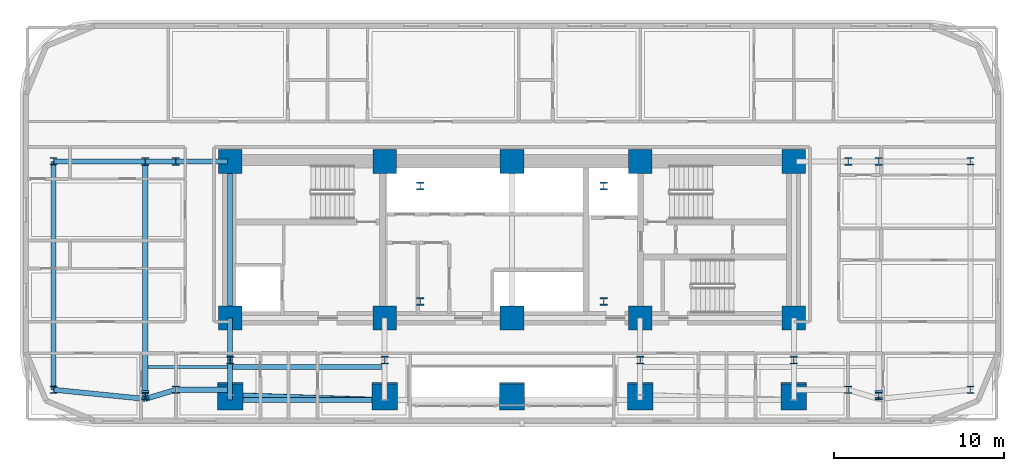
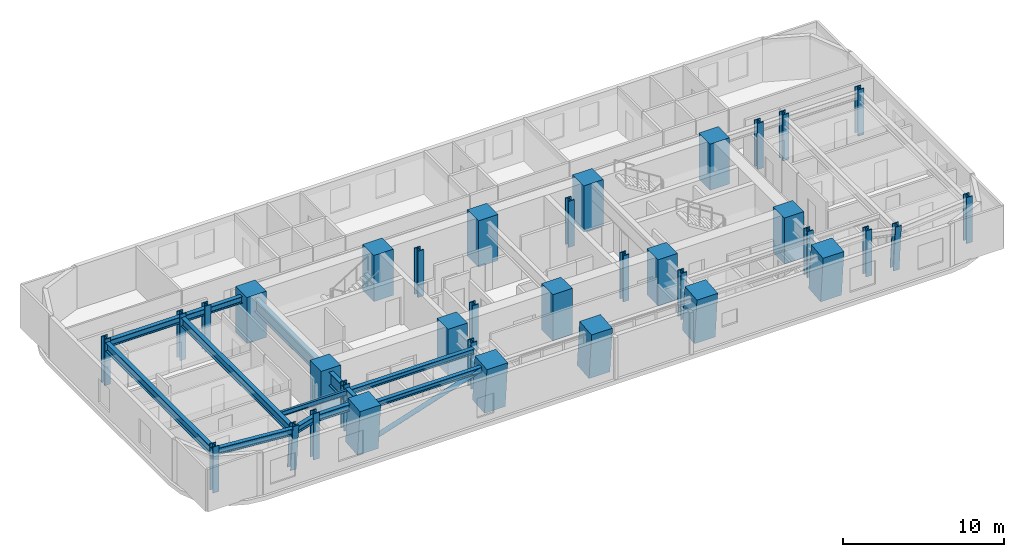
# One storey, part 1 of 16: 35 columns, 14 beams, 1 member.
"""IFC4 building model written with IfcOpenShell, lengths in metres."""

import ifcopenshell
import ifcopenshell.guid

model = None  # the IFC model being written
_history = None  # IfcOwnerHistory: only IFC2X3 demands one
_inside = {}  # id of a spatial element -> (the spatial element, [elements in it])
_under = {}  # id of a project, library or spatial element -> (it, [spatial elements below it])
_declared = {}  # id of a project -> (the project, [libraries it declares])
_typed = {}  # id of a type object -> (the type object, [elements of that type])
_made_of = {}  # id of a material, layer set ... -> (it, [elements and type objects made of it])


def new_model(schema):
    """Start an empty IFC model of exactly this schema.

    Asked for "IFC4X3", IfcOpenShell would pick the latest addendum, in which some entities
    have other attributes; the version numbers below select the first issue.
    IFC2X3 requires an IfcOwnerHistory on every rooted entity: one is made here for all.
    """
    global model, _history
    if schema == "IFC4X3":
        model = ifcopenshell.file(schema_version=(4, 3, 0, 0))
    else:
        model = ifcopenshell.file(schema=schema)
    _inside.clear()
    _under.clear()
    _declared.clear()
    _typed.clear()
    _made_of.clear()
    _history = None
    if model.schema == "IFC2X3":
        org = make("IfcOrganization", Name="unknown")
        user = make(
            "IfcPersonAndOrganization",
            ThePerson=make("IfcPerson", FamilyName="unknown"),
            TheOrganization=org,
        )
        app = make(
            "IfcApplication",
            ApplicationDeveloper=org,
            Version="unknown",
            ApplicationFullName="unknown",
            ApplicationIdentifier="unknown",
        )
        _history = make(
            "IfcOwnerHistory",
            OwningUser=user,
            OwningApplication=app,
            ChangeAction="ADDED",
            CreationDate=0,
        )
    return model


def make(cls, **values):
    """One entity of the class cls with the attributes given. An attribute that is None is left unset."""
    return model.create_entity(
        cls, **{name: value for name, value in values.items() if value is not None}
    )


def rooted(cls, **values):
    """An entity with a GlobalId (a new one), such as an element, a storey or a relation."""
    return make(cls, GlobalId=ifcopenshell.guid.new(), OwnerHistory=_history, **values)


def si_unit(unit_type, name, prefix=None):
    """IfcSIUnit, for example si_unit("LENGTHUNIT", "METRE", prefix="MILLI")."""
    return make("IfcSIUnit", UnitType=unit_type, Prefix=prefix, Name=name)


def assignment(units):
    """IfcUnitAssignment: the units of a project."""
    return None if units is None else make("IfcUnitAssignment", Units=units)


def point(xyz):
    """IfcCartesianPoint."""
    return None if xyz is None else make("IfcCartesianPoint", Coordinates=xyz)


def direction(xyz):
    """IfcDirection."""
    return None if xyz is None else make("IfcDirection", DirectionRatios=xyz)


def frame(location, z_axis=None, x_axis=None):
    """IfcAxis2Placement3D, a coordinate frame: its origin and axes. An axis left out is left unset."""
    return make(
        "IfcAxis2Placement3D",
        Location=point(location),
        Axis=direction(z_axis),
        RefDirection=direction(x_axis),
    )


def frame_2d(location, x_axis=None):
    """IfcAxis2Placement2D, a coordinate frame in the plane: its origin and x axis."""
    return make(
        "IfcAxis2Placement2D", Location=point(location), RefDirection=direction(x_axis)
    )


def origin():
    """The frame at (0, 0, 0) with its axes left unset."""
    return frame((0.0, 0.0, 0.0))


def origin_2d():
    """The frame at (0, 0) in the plane with its x axis left unset."""
    return frame_2d((0.0, 0.0))


def place(relative_to, where):
    """IfcLocalPlacement: puts the frame where relative to a parent placement (None: the world)."""
    return make(
        "IfcLocalPlacement", PlacementRelTo=relative_to, RelativePlacement=where
    )


def context(
    kind, dimensions, precision=None, world=None, true_north=None, identifier=None
):
    """IfcGeometricRepresentationContext, for example the 3D "Model" context."""
    return make(
        "IfcGeometricRepresentationContext",
        ContextIdentifier=identifier,
        ContextType=kind,
        CoordinateSpaceDimension=dimensions,
        Precision=precision,
        WorldCoordinateSystem=world,
        TrueNorth=true_north,
    )


def subcontext(parent, identifier, kind, view, scale=None):
    """IfcGeometricRepresentationSubContext, for example "Body" below "Model"."""
    return make(
        "IfcGeometricRepresentationSubContext",
        ContextIdentifier=identifier,
        ContextType=kind,
        ParentContext=parent,
        TargetScale=scale,
        TargetView=view,
    )


def project(units=None, contexts=None):
    """IfcProject with its units and contexts."""
    return rooted(
        "IfcProject",
        Name="project",
        RepresentationContexts=contexts,
        UnitsInContext=assignment(units),
    )


def spatial(cls, under=None, at=None, **own):
    """A site, building, storey or space (cls), placed at a placement, below another one or the project."""
    s = rooted(cls, ObjectPlacement=at, **own)
    if under is not None:
        _under.setdefault(under.id(), (under, []))[1].append(s)
    return s


def profile(cls, at=None, kind="AREA", **sizes):
    """A parametric profile (cls). Its sizes go by their IFC names, for example OverallWidth=200.0."""
    return make(cls, ProfileType=kind, Position=at, **sizes)


def rectangle(**sizes):
    """IfcRectangleProfileDef."""
    return profile("IfcRectangleProfileDef", **sizes)


def hollow_circle(**sizes):
    """IfcCircleHollowProfileDef."""
    return profile("IfcCircleHollowProfileDef", **sizes)


def i_section(**sizes):
    """IfcIShapeProfileDef."""
    return profile("IfcIShapeProfileDef", **sizes)


def extrude(swept, where, along, depth):
    """IfcExtrudedAreaSolid: the profile swept, set in the frame where, extruded along a direction by depth."""
    return make(
        "IfcExtrudedAreaSolid",
        SweptArea=swept,
        Position=where,
        ExtrudedDirection=direction(along),
        Depth=depth,
    )


def shape(context_of_items, identifier, shape_type, items):
    """IfcShapeRepresentation: the items that make up one representation, for example the "Body"."""
    return make(
        "IfcShapeRepresentation",
        ContextOfItems=context_of_items,
        RepresentationIdentifier=identifier,
        RepresentationType=shape_type,
        Items=items,
    )


def material(Name=None, Category=None):
    """IfcMaterial."""
    return make("IfcMaterial", Name=Name, Category=Category)


def material_profile(
    of_material, cross_section, Name=None, Category=None, Priority=None
):
    """IfcMaterialProfile: a cross section and its material."""
    return make(
        "IfcMaterialProfile",
        Name=Name,
        Material=of_material,
        Profile=cross_section,
        Priority=Priority,
        Category=Category,
    )


def profile_set(profiles, Name=None, composite=None):
    """IfcMaterialProfileSet."""
    return make(
        "IfcMaterialProfileSet",
        Name=Name,
        MaterialProfiles=profiles,
        CompositeProfile=composite,
    )


def made_of(thing, what):
    """Note that an element or type object is made of a material, layer set ...; save() writes the relation."""
    if what is not None:
        _made_of.setdefault(what.id(), (what, []))[1].append(thing)
    return thing


def type_object(cls, material=None, **own):
    """A type object (cls), such as IfcWallType, which elements share."""
    return made_of(rooted(cls, **own), material)


def element(
    cls,
    number,
    at=None,
    inside=None,
    cuts=None,
    type_object=None,
    material=None,
    context=None,
    identifier="Body",
    shape_type=None,
    held_by="IfcProductDefinitionShape",
    body=None,
    shapes=None,
    **own,
):
    """One element of the class cls, such as IfcWall. Its Tag is "e" and its number.

    at: its placement. inside: the storey or other place that contains it. cuts: it is an
    opening in that element (IfcRelVoidsElement). A single representation is given by context,
    identifier, shape_type and body (its items); several are given by shapes. held_by: the class
    of the entity that holds the representations. save() writes the other relations.
    """
    e = rooted(cls, Tag="e%d" % number, ObjectPlacement=at, **own)
    if body is not None:
        shapes = [shape(context, identifier, shape_type, body)]
    if shapes is not None:
        e.Representation = make(held_by, Representations=shapes)
    if inside is not None:
        _inside.setdefault(inside.id(), (inside, []))[1].append(e)
    if cuts is not None:
        rooted(
            "IfcRelVoidsElement", RelatingBuildingElement=cuts, RelatedOpeningElement=e
        )
    if type_object is not None:
        _typed.setdefault(type_object.id(), (type_object, []))[1].append(e)
    return made_of(e, material)


def aggregate(whole, parts):
    """IfcRelAggregates: a whole, such as a stair, and the parts it consists of."""
    return rooted("IfcRelAggregates", RelatingObject=whole, RelatedObjects=parts)


def save(model, path):
    """Write the relations noted so far, then the file.

    IfcRelAggregates (storeys below a building ...), IfcRelContainedInSpatialStructure (elements
    in a storey), IfcRelDefinesByType, IfcRelAssociatesMaterial and IfcRelDeclares: one each for
    every whole, place, type object, material and project.
    """
    for whole, parts in _under.values():
        aggregate(whole, parts)
    for where, things in _inside.values():
        rooted(
            "IfcRelContainedInSpatialStructure",
            RelatedElements=things,
            RelatingStructure=where,
        )
    for kind, things in _typed.values():
        rooted("IfcRelDefinesByType", RelatedObjects=things, RelatingType=kind)
    for what, things in _made_of.values():
        rooted("IfcRelAssociatesMaterial", RelatedObjects=things, RelatingMaterial=what)
    for by, libraries in _declared.values():
        rooted("IfcRelDeclares", RelatingContext=by, RelatedDefinitions=libraries)
    model.write(path)


model = new_model("IFC4")

# Units and contexts
model_context = context("Model", 3, precision=1e-05, world=origin(), true_north=direction((0.0, 1.0)))
body_context = subcontext(model_context, "Body", "Model", "MODEL_VIEW")
ifc_project = project(units=[si_unit("LENGTHUNIT", "METRE"), si_unit("AREAUNIT", "SQUARE_METRE"), si_unit("VOLUMEUNIT", "CUBIC_METRE"), si_unit("PLANEANGLEUNIT", "RADIAN"), si_unit("MASSUNIT", "GRAM", prefix="KILO")], contexts=[model_context])

# Site, building, storey
site_placement = place(None, origin())
site = spatial("IfcSite", under=ifc_project, at=site_placement, CompositionType="ELEMENT")
building_placement = place(site_placement, origin())
building = spatial("IfcBuilding", under=site, at=building_placement, Name="Zarnavel Station Tower", CompositionType="ELEMENT")
storey_placement = place(building_placement, frame((0.0, 0.0, 32.5)))
storey = spatial("IfcBuildingStorey", under=building, at=storey_placement, Name="L08", CompositionType="ELEMENT", Elevation=32.5)

# Columns
ifc_material_1 = material(Name="Steel S460M", Category="steel")
ifc_material_profile_1 = material_profile(ifc_material_1, i_section(OverallWidth=0.424072265625, OverallDepth=0.449951171875, WebThickness=0.041015625, FlangeThickness=0.06494140625, FilletRadius=0.014892578125, at=origin_2d()), Name="HD400x509")
ifc_profile_set_1 = profile_set([ifc_material_profile_1], Name="Steel S460M")
column_type_1 = type_object("IfcColumnType", Name="EC_HD509", PredefinedType="COLUMN", material=ifc_profile_set_1)
for number, where, z_axis, x_axis, name in (
    (1, (1.800048828125, 23.60009765625, 0.0), (0.0, 0.0, 1.0), (1.0, 0.0, 0.0), "L08 Outer Wing South Column 1"),
    (2, (1.800048828125, 37.050048828125, 0.0), (0.0, 0.0, 1.0), (1.0, 0.0, 0.0), "L08 Outer Wing North Column 1"),
):
    element("IfcColumn", number, at=place(storey_placement, frame(where, z_axis=z_axis, x_axis=x_axis)), inside=storey, type_object=column_type_1, Name=name, PredefinedType="COLUMN", context=body_context, shape_type="SweptSolid", body=[
        extrude(i_section(OverallWidth=0.424072265625, OverallDepth=0.449951171875, WebThickness=0.041015625, FlangeThickness=0.06494140625, FilletRadius=0.014892578125, at=origin_2d()), origin(), (0.0, 0.0, 1.0), 3.5),
    ])
for number, where, z_axis, x_axis, name in (
    (3, (7.199951171875, 23.319580078125, 0.0), (0.0, -0.079891690793, 0.996803550226), (1.0, 0.0, 0.0), "L08 Raked Wing Column 2"),
    (4, (50.39990234375, 23.319580078125, 0.0), (0.0, -0.079891690793, 0.996803550226), (1.0, 0.0, 0.0), "L08 Raked Wing Column 3"),
):
    element("IfcColumn", number, at=place(storey_placement, frame(where, z_axis=z_axis, x_axis=x_axis)), inside=storey, type_object=column_type_1, Name=name, PredefinedType="COLUMN", context=body_context, shape_type="SweptSolid", body=[
        extrude(i_section(OverallWidth=0.424072265625, OverallDepth=0.449951171875, WebThickness=0.041015625, FlangeThickness=0.06494140625, FilletRadius=0.014892578125, at=origin_2d()), origin(), (0.0, 0.0, 1.0), 3.51123046875),
    ])
for number, where, z_axis, x_axis, name in (
    (5, (55.800048828125, 23.60009765625, 0.0), (0.0, 0.0, 1.0), (1.0, 0.0, 0.0), "L08 Outer Wing South Column 4"),
    (6, (55.800048828125, 37.050048828125, 0.0), (0.0, 0.0, 1.0), (1.0, 0.0, 0.0), "L08 Outer Wing North Column 4"),
):
    element("IfcColumn", number, at=place(storey_placement, frame(where, z_axis=z_axis, x_axis=x_axis)), inside=storey, type_object=column_type_1, Name=name, PredefinedType="COLUMN", context=body_context, shape_type="SweptSolid", body=[
        extrude(i_section(OverallWidth=0.424072265625, OverallDepth=0.449951171875, WebThickness=0.041015625, FlangeThickness=0.06494140625, FilletRadius=0.014892578125, at=origin_2d()), origin(), (0.0, 0.0, 1.0), 3.5),
    ])
ifc_material_2 = material(Name="Steel S460M", Category="steel")
ifc_material_profile_2 = material_profile(ifc_material_2, i_section(OverallWidth=0.427978515625, OverallDepth=0.465087890625, WebThickness=0.044921875, FlangeThickness=0.072998046875, FilletRadius=0.014892578125, at=origin_2d()), Name="HD400x592")
ifc_profile_set_2 = profile_set([ifc_material_profile_2], Name="Steel S460M")
column_type_2 = type_object("IfcColumnType", Name="IC_HD592", PredefinedType="COLUMN", material=ifc_profile_set_2)
for number, where, z_axis, x_axis, name in (
    (7, (23.39990234375, 28.800048828125, 0.0), (0.0, 0.0, 1.0), (1.0, 0.0, 0.0), "L08 Mast Spine Column 1"),
    (8, (34.199951171875, 28.800048828125, 0.0), (0.0, 0.0, 1.0), (1.0, 0.0, 0.0), "L08 Mast Spine Column 2"),
    (9, (34.199951171875, 35.60009765625, 0.0), (0.0, 0.0, 1.0), (1.0, 0.0, 0.0), "L08 Mast Spine Column 3"),
    (10, (23.39990234375, 35.60009765625, 0.0), (0.0, 0.0, 1.0), (1.0, 0.0, 0.0), "L08 Mast Spine Column 4"),
    (11, (12.199951171875, 25.35009765625, 0.0), (0.0, 0.0, 1.0), (1.0, 0.0, 0.0), "L08 Inner Spine Column 1"),
    (12, (21.300048828125, 25.35009765625, 0.0), (0.0, 0.0, 1.0), (1.0, 0.0, 0.0), "L08 Inner Spine Column 2"),
    (13, (36.35009765625, 25.35009765625, 0.0), (0.0, 0.0, 1.0), (1.0, 0.0, 0.0), "L08 Inner Spine Column 4"),
    (14, (45.39990234375, 25.35009765625, 0.0), (0.0, 0.0, 1.0), (1.0, 0.0, 0.0), "L08 Inner Spine Column 5"),
    (15, (9.0, 23.60009765625, 0.0), (0.0, 0.0, 1.0), (1.0, 0.0, 0.0), "L08 Inner Wing Spine Column 1-1"),
    (16, (9.0, 37.050048828125, 0.0), (0.0, 0.0, 1.0), (1.0, 0.0, 0.0), "L08 Inner Wing Spine Column 1-2"),
    (17, (48.60009765625, 23.60009765625, 0.0), (0.0, 0.0, 1.0), (1.0, 0.0, 0.0), "L08 Inner Wing Spine Column 2-1"),
    (18, (48.60009765625, 37.050048828125, 0.0), (0.0, 0.0, 1.0), (1.0, 0.0, 0.0), "L08 Inner Wing Spine Column 2-2"),
    (19, (7.199951171875, 37.050048828125, 0.0), (0.0, 0.0, 1.0), (1.0, 0.0, 0.0), "L08 Outer Wing North Column 2"),
    (20, (50.39990234375, 37.050048828125, 0.0), (0.0, 0.0, 1.0), (1.0, 0.0, 0.0), "L08 Outer Wing North Column 3"),
):
    element("IfcColumn", number, at=place(storey_placement, frame(where, z_axis=z_axis, x_axis=x_axis)), inside=storey, type_object=column_type_2, Name=name, PredefinedType="COLUMN", context=body_context, shape_type="SweptSolid", body=[
        extrude(i_section(OverallWidth=0.427978515625, OverallDepth=0.465087890625, WebThickness=0.044921875, FlangeThickness=0.072998046875, FilletRadius=0.014892578125, at=origin_2d()), origin(), (0.0, 0.0, 1.0), 3.5),
    ])
ifc_material_3 = material(Name="Concrete C60/75", Category="concrete")
ifc_material_profile_3 = material_profile(ifc_material_3, rectangle(XDim=1.39990234375, YDim=1.39990234375, at=origin_2d()), Name="RC1400x1400")
ifc_profile_set_3 = profile_set([ifc_material_profile_3], Name="Concrete C60/75")
column_type_3 = type_object("IfcColumnType", Name="IC_RC1400", PredefinedType="COLUMN", material=ifc_profile_set_3)
for number, where, z_axis, x_axis, name in (
    (21, (12.199951171875, 27.820068359375, 0.0), (0.0, 0.0, 1.0), (1.0, 0.0, 0.0), "L08 Core Spine Column 1-1"),
    (22, (12.199951171875, 37.050048828125, 0.0), (0.0, 0.0, 1.0), (1.0, 0.0, 0.0), "L08 Core Spine Column 1-2"),
    (23, (21.300048828125, 27.820068359375, 0.0), (0.0, 0.0, 1.0), (1.0, 0.0, 0.0), "L08 Core Spine Column 2-1"),
    (24, (21.300048828125, 37.050048828125, 0.0), (0.0, 0.0, 1.0), (1.0, 0.0, 0.0), "L08 Core Spine Column 2-2"),
    (25, (28.800048828125, 27.820068359375, 0.0), (0.0, 0.0, 1.0), (1.0, 0.0, 0.0), "L08 Core Spine Column 3-1"),
    (26, (28.800048828125, 37.050048828125, 0.0), (0.0, 0.0, 1.0), (1.0, 0.0, 0.0), "L08 Core Spine Column 3-2"),
    (27, (36.35009765625, 27.820068359375, 0.0), (0.0, 0.0, 1.0), (1.0, 0.0, 0.0), "L08 Core Spine Column 4-1"),
    (28, (36.35009765625, 37.050048828125, 0.0), (0.0, 0.0, 1.0), (1.0, 0.0, 0.0), "L08 Core Spine Column 4-2"),
    (29, (45.39990234375, 27.820068359375, 0.0), (0.0, 0.0, 1.0), (1.0, 0.0, 0.0), "L08 Core Spine Column 5-1"),
    (30, (45.39990234375, 37.050048828125, 0.0), (0.0, 0.0, 1.0), (1.0, 0.0, 0.0), "L08 Core Spine Column 5-2"),
):
    element("IfcColumn", number, at=place(storey_placement, frame(where, z_axis=z_axis, x_axis=x_axis)), inside=storey, type_object=column_type_3, Name=name, PredefinedType="COLUMN", context=body_context, shape_type="SweptSolid", body=[
        extrude(rectangle(XDim=1.39990234375, YDim=1.39990234375, at=origin_2d()), origin(), (0.0, 0.0, 1.0), 3.5),
    ])
ifc_material_4 = material(Name="Concrete C60/75", Category="concrete")
ifc_material_profile_4 = material_profile(ifc_material_4, rectangle(XDim=1.5, YDim=1.5, at=origin_2d()), Name="RC1500x1500")
ifc_profile_set_4 = profile_set([ifc_material_profile_4], Name="Concrete C60/75")
column_type_4 = type_object("IfcColumnType", Name="MC_RC1500", PredefinedType="COLUMN", material=ifc_profile_set_4)
for number, where, z_axis, x_axis, name in (
    (31, (12.199951171875, 23.28271484375, 0.0), (0.0, -0.090172444535, 0.995926167066), (1.0, 0.0, 0.0), "L08 Raked South Mega-Column 1"),
    (32, (21.300048828125, 23.28271484375, 0.0), (0.0, -0.090172444535, 0.995926167066), (1.0, 0.0, 0.0), "L08 Raked South Mega-Column 2"),
    (33, (28.800048828125, 23.28271484375, 0.0), (0.0, -0.090172444535, 0.995926167066), (1.0, 0.0, 0.0), "L08 Raked South Mega-Column 3"),
    (34, (36.35009765625, 23.28271484375, 0.0), (0.0, -0.090172444535, 0.995926167066), (1.0, 0.0, 0.0), "L08 Raked South Mega-Column 4"),
    (35, (45.39990234375, 23.28271484375, 0.0), (0.0, -0.090172444535, 0.995926167066), (1.0, 0.0, 0.0), "L08 Raked South Mega-Column 5"),
):
    element("IfcColumn", number, at=place(storey_placement, frame(where, z_axis=z_axis, x_axis=x_axis)), inside=storey, type_object=column_type_4, Name=name, PredefinedType="COLUMN", context=body_context, shape_type="SweptSolid", body=[
        extrude(rectangle(XDim=1.5, YDim=1.5, at=origin_2d()), origin(), (0.0, 0.0, 1.0), 3.514404296875),
    ])

# Member
ifc_material_5 = material(Name="Steel S355J2", Category="steel")
ifc_material_profile_5 = material_profile(ifc_material_5, hollow_circle(Radius=0.161865234375, WallThickness=0.012451171875, at=origin_2d()), Name="CHS323.9x12.5")
ifc_profile_set_5 = profile_set([ifc_material_profile_5], Name="Steel S355J2")
member_type = type_object("IfcMemberType", Name="DB_EXT_CHS324", PredefinedType="BRACE", material=ifc_profile_set_5)
member_placement = place(storey_placement, frame((12.199951171875, 23.28271484375, 0.0), z_axis=(0.941636397979, -0.030365588624, 0.335259339958), x_axis=(0.032230925026, 0.999480448769, 0.0)))
element("IfcMember", 36, at=member_placement, inside=storey, type_object=member_type, Name="L08 Persian Exterior Diagonal Frame Brace 1", PredefinedType="BRACE", context=body_context, shape_type="SweptSolid", body=[
    extrude(hollow_circle(Radius=0.161865234375, WallThickness=0.012451171875, at=origin_2d()), origin(), (0.0, 0.0, 1.0), 9.6640625),
])

# Beams
ifc_material_6 = material(Name="Steel S355J2", Category="steel")
ifc_material_profile_6 = material_profile(ifc_material_6, i_section(OverallWidth=0.300048828125, OverallDepth=0.39990234375, WebThickness=0.013427734375, FlangeThickness=0.02392578125, FilletRadius=0.027099609375, at=origin_2d()), Name="HEB400")
ifc_profile_set_6 = profile_set([ifc_material_profile_6], Name="Steel S355J2")
beam_type_1 = type_object("IfcBeamType", Name="EB_HEB400", PredefinedType="SPANDREL", material=ifc_profile_set_6)
beam_1_placement = place(storey_placement, frame((12.199951171875, 22.9892578125, 3.0400390625), z_axis=(1.0, 0.0, 0.0), x_axis=(0.0, 1.0, 0.0)))
element("IfcBeam", 37, at=beam_1_placement, inside=storey, type_object=beam_type_1, Name="L08 South Raked Spandrel 1", PredefinedType="SPANDREL", context=body_context, shape_type="SweptSolid", body=[
    extrude(i_section(OverallWidth=0.300048828125, OverallDepth=0.39990234375, WebThickness=0.013427734375, FlangeThickness=0.02392578125, FilletRadius=0.027099609375, at=origin_2d()), origin(), (0.0, 0.0, 1.0), 9.10009765625),
])
ifc_material_7 = material(Name="Steel S355J2", Category="steel")
ifc_material_profile_7 = material_profile(ifc_material_7, i_section(OverallWidth=0.300048828125, OverallDepth=0.389892578125, WebThickness=0.010986328125, FlangeThickness=0.01904296875, FilletRadius=0.027099609375, at=origin_2d()), Name="HEA400")
ifc_profile_set_7 = profile_set([ifc_material_profile_7], Name="Steel S355J2")
beam_type_2 = type_object("IfcBeamType", Name="FB_HEA400", PredefinedType="BEAM", material=ifc_profile_set_7)
beam_2_placement = place(storey_placement, frame((12.344970703125, 24.9462890625, 3.044921875), z_axis=(1.0, 0.0, 0.0), x_axis=(0.0, 1.0, 0.0)))
element("IfcBeam", 38, at=beam_2_placement, inside=storey, type_object=beam_type_2, Name="L08 West Bay Beam 2", PredefinedType="BEAM", context=body_context, shape_type="SweptSolid", body=[
    extrude(i_section(OverallWidth=0.300048828125, OverallDepth=0.389892578125, WebThickness=0.010986328125, FlangeThickness=0.01904296875, FilletRadius=0.027099609375, at=origin_2d()), origin(), (0.0, 0.0, 1.0), 8.81005859375),
])
ifc_material_8 = material(Name="Steel S355J2", Category="steel")
ifc_material_profile_8 = material_profile(ifc_material_8, i_section(OverallWidth=0.300048828125, OverallDepth=0.5, WebThickness=0.014404296875, FlangeThickness=0.028076171875, FilletRadius=0.027099609375, at=origin_2d()), Name="HEB500")
ifc_profile_set_8 = profile_set([ifc_material_profile_8], Name="Steel S355J2")
beam_type_3 = type_object("IfcBeamType", Name="FG_HEB500", PredefinedType="USERDEFINED", material=ifc_profile_set_8)
beam_3_placement = place(storey_placement, frame((1.800048828125, 23.60009765625, 2.989990234375), z_axis=(0.995031843734, -0.099557169282, 0.0), x_axis=(0.099557169282, 0.995031843734, 0.0)))
element("IfcBeam", 39, at=beam_3_placement, inside=storey, type_object=beam_type_3, Name="L08 West Wing South Tie 1", ObjectType="GIRDER", PredefinedType="USERDEFINED", context=body_context, shape_type="SweptSolid", body=[
    extrude(i_section(OverallWidth=0.300048828125, OverallDepth=0.5, WebThickness=0.014404296875, FlangeThickness=0.028076171875, FilletRadius=0.027099609375, at=origin_2d()), origin(), (0.0, 0.0, 1.0), 5.4267578125),
])
beam_4_placement = place(storey_placement, frame((1.800048828125, 37.050048828125, 2.989990234375), z_axis=(1.0, 0.0, 0.0), x_axis=(0.0, 1.0, 0.0)))
element("IfcBeam", 40, at=beam_4_placement, inside=storey, type_object=beam_type_3, Name="L08 West Wing North Tie 1", ObjectType="GIRDER", PredefinedType="USERDEFINED", context=body_context, shape_type="SweptSolid", body=[
    extrude(i_section(OverallWidth=0.300048828125, OverallDepth=0.5, WebThickness=0.014404296875, FlangeThickness=0.028076171875, FilletRadius=0.027099609375, at=origin_2d()), origin(), (0.0, 0.0, 1.0), 5.39990234375),
])
beam_5_placement = place(storey_placement, frame((7.199951171875, 23.059814453125, 2.989990234375), z_axis=(0.95778694732, 0.287478979306, 0.0), x_axis=(-0.287478979306, 0.95778694732, 0.0)))
element("IfcBeam", 41, at=beam_5_placement, inside=storey, type_object=beam_type_3, Name="L08 West Wing South Tie 2", ObjectType="GIRDER", PredefinedType="USERDEFINED", context=body_context, shape_type="SweptSolid", body=[
    extrude(i_section(OverallWidth=0.300048828125, OverallDepth=0.5, WebThickness=0.014404296875, FlangeThickness=0.028076171875, FilletRadius=0.027099609375, at=origin_2d()), origin(), (0.0, 0.0, 1.0), 1.87939453125),
])
beam_6_placement = place(storey_placement, frame((7.199951171875, 37.050048828125, 2.989990234375), z_axis=(1.0, 0.0, 0.0), x_axis=(0.0, 1.0, 0.0)))
element("IfcBeam", 42, at=beam_6_placement, inside=storey, type_object=beam_type_3, Name="L08 West Wing North Tie 2", ObjectType="GIRDER", PredefinedType="USERDEFINED", context=body_context, shape_type="SweptSolid", body=[
    extrude(i_section(OverallWidth=0.300048828125, OverallDepth=0.5, WebThickness=0.014404296875, FlangeThickness=0.028076171875, FilletRadius=0.027099609375, at=origin_2d()), origin(), (0.0, 0.0, 1.0), 1.800048828125),
])
for number, where, z_axis, x_axis, name in (
    (43, (9.0, 23.60009765625, 2.989990234375), (1.0, 0.0, 0.0), (0.0, 1.0, 0.0), "L08 West Wing South Tie 3"),
    (44, (9.0, 37.050048828125, 2.989990234375), (1.0, 0.0, 0.0), (0.0, 1.0, 0.0), "L08 West Wing North Tie 3"),
):
    element("IfcBeam", number, at=place(storey_placement, frame(where, z_axis=z_axis, x_axis=x_axis)), inside=storey, type_object=beam_type_3, Name=name, ObjectType="GIRDER", PredefinedType="USERDEFINED", context=body_context, shape_type="SweptSolid", body=[
        extrude(i_section(OverallWidth=0.300048828125, OverallDepth=0.5, WebThickness=0.014404296875, FlangeThickness=0.028076171875, FilletRadius=0.027099609375, at=origin_2d()), origin(), (0.0, 0.0, 1.0), 3.054931640625),
    ])
ifc_material_9 = material(Name="Steel S355J2", Category="steel")
ifc_material_profile_9 = material_profile(ifc_material_9, i_section(OverallWidth=0.300048828125, OverallDepth=0.64990234375, WebThickness=0.01611328125, FlangeThickness=0.031005859375, FilletRadius=0.027099609375, at=origin_2d()), Name="HEB650")
ifc_profile_set_9 = profile_set([ifc_material_profile_9], Name="Steel S355J2")
beam_type_4 = type_object("IfcBeamType", Name="FG_HEB650", PredefinedType="USERDEFINED", material=ifc_profile_set_9)
beam_7_placement = place(storey_placement, frame((1.800048828125, 23.60009765625, 2.9150390625), z_axis=(0.0, 1.0, 0.0), x_axis=(-1.0, 0.0, 0.0)))
element("IfcBeam", 45, at=beam_7_placement, inside=storey, type_object=beam_type_4, Name="L08 Wing NS Girder 1", ObjectType="GIRDER", PredefinedType="USERDEFINED", context=body_context, shape_type="SweptSolid", body=[
    extrude(i_section(OverallWidth=0.300048828125, OverallDepth=0.64990234375, WebThickness=0.01611328125, FlangeThickness=0.031005859375, FilletRadius=0.027099609375, at=origin_2d()), origin(), (0.0, 0.0, 1.0), 13.449951171875),
])
beam_8_placement = place(storey_placement, frame((7.199951171875, 23.059814453125, 2.9150390625), z_axis=(0.0, 1.0, 0.0), x_axis=(-1.0, 0.0, 0.0)))
element("IfcBeam", 46, at=beam_8_placement, inside=storey, type_object=beam_type_4, Name="L08 Wing NS Girder 2", ObjectType="GIRDER", PredefinedType="USERDEFINED", context=body_context, shape_type="SweptSolid", body=[
    extrude(i_section(OverallWidth=0.300048828125, OverallDepth=0.64990234375, WebThickness=0.01611328125, FlangeThickness=0.031005859375, FilletRadius=0.027099609375, at=origin_2d()), origin(), (0.0, 0.0, 1.0), 13.990234375),
])
ifc_material_10 = material(Name="Steel S355J2", Category="steel")
ifc_material_profile_10 = material_profile(ifc_material_10, i_section(OverallWidth=0.169921875, OverallDepth=0.360107421875, WebThickness=0.008056640625, FlangeThickness=0.0126953125, FilletRadius=0.01806640625, at=origin_2d()), Name="IPE360")
ifc_profile_set_10 = profile_set([ifc_material_profile_10], Name="Steel S355J2")
beam_type_5 = type_object("IfcBeamType", Name="FJ_IPE360", PredefinedType="JOIST", material=ifc_profile_set_10)
beam_9_placement = place(storey_placement, frame((7.344970703125, 24.9462890625, 3.06005859375), z_axis=(1.0, 0.0, 0.0), x_axis=(0.0, 1.0, 0.0)))
element("IfcBeam", 47, at=beam_9_placement, inside=storey, type_object=beam_type_5, Name="L08 West Wing Joist 2", PredefinedType="JOIST", context=body_context, shape_type="SweptSolid", body=[
    extrude(i_section(OverallWidth=0.169921875, OverallDepth=0.360107421875, WebThickness=0.008056640625, FlangeThickness=0.0126953125, FilletRadius=0.01806640625, at=origin_2d()), origin(), (0.0, 0.0, 1.0), 4.7099609375),
])
ifc_material_11 = material(Name="Steel S460M", Category="steel")
ifc_material_profile_11 = material_profile(ifc_material_11, i_section(OverallWidth=0.302001953125, OverallDepth=1.008056640625, WebThickness=0.02099609375, FlangeThickness=0.0400390625, FilletRadius=0.030029296875, at=origin_2d()), Name="HEM1000")
ifc_profile_set_11 = profile_set([ifc_material_profile_11], Name="Steel S460M")
beam_type_6 = type_object("IfcBeamType", Name="TG_HEM1000", PredefinedType="USERDEFINED", material=ifc_profile_set_11)
beam_10_placement = place(storey_placement, frame((12.199951171875, 27.820068359375, 2.736083984375), z_axis=(0.0, 1.0, 0.0), x_axis=(-1.0, 0.0, 0.0)))
element("IfcBeam", 48, at=beam_10_placement, inside=storey, type_object=beam_type_6, Name="L08 Core Spine Coupling Girder 1", ObjectType="GIRDER", PredefinedType="USERDEFINED", context=body_context, shape_type="SweptSolid", body=[
    extrude(i_section(OverallWidth=0.302001953125, OverallDepth=1.008056640625, WebThickness=0.02099609375, FlangeThickness=0.0400390625, FilletRadius=0.030029296875, at=origin_2d()), origin(), (0.0, 0.0, 1.0), 9.22998046875),
])
beam_11_placement = place(storey_placement, frame((12.199951171875, 22.9892578125, 2.736083984375), z_axis=(0.0, 1.0, 0.0), x_axis=(-1.0, 0.0, 0.0)))
element("IfcBeam", 49, at=beam_11_placement, inside=storey, type_object=beam_type_6, Name="L08 South-Zone NS Girder 1", ObjectType="GIRDER", PredefinedType="USERDEFINED", context=body_context, shape_type="SweptSolid", body=[
    extrude(i_section(OverallWidth=0.302001953125, OverallDepth=1.008056640625, WebThickness=0.02099609375, FlangeThickness=0.0400390625, FilletRadius=0.030029296875, at=origin_2d()), origin(), (0.0, 0.0, 1.0), 2.36083984375),
])
beam_12_placement = place(storey_placement, frame((12.199951171875, 25.35009765625, 2.736083984375), z_axis=(0.0, 1.0, 0.0), x_axis=(-1.0, 0.0, 0.0)))
element("IfcBeam", 50, at=beam_12_placement, inside=storey, type_object=beam_type_6, Name="L08 Inner-Zone NS Girder 1", ObjectType="GIRDER", PredefinedType="USERDEFINED", context=body_context, shape_type="SweptSolid", body=[
    extrude(i_section(OverallWidth=0.302001953125, OverallDepth=1.008056640625, WebThickness=0.02099609375, FlangeThickness=0.0400390625, FilletRadius=0.030029296875, at=origin_2d()), origin(), (0.0, 0.0, 1.0), 2.469970703125),
])

save(model, "model.ifc")
